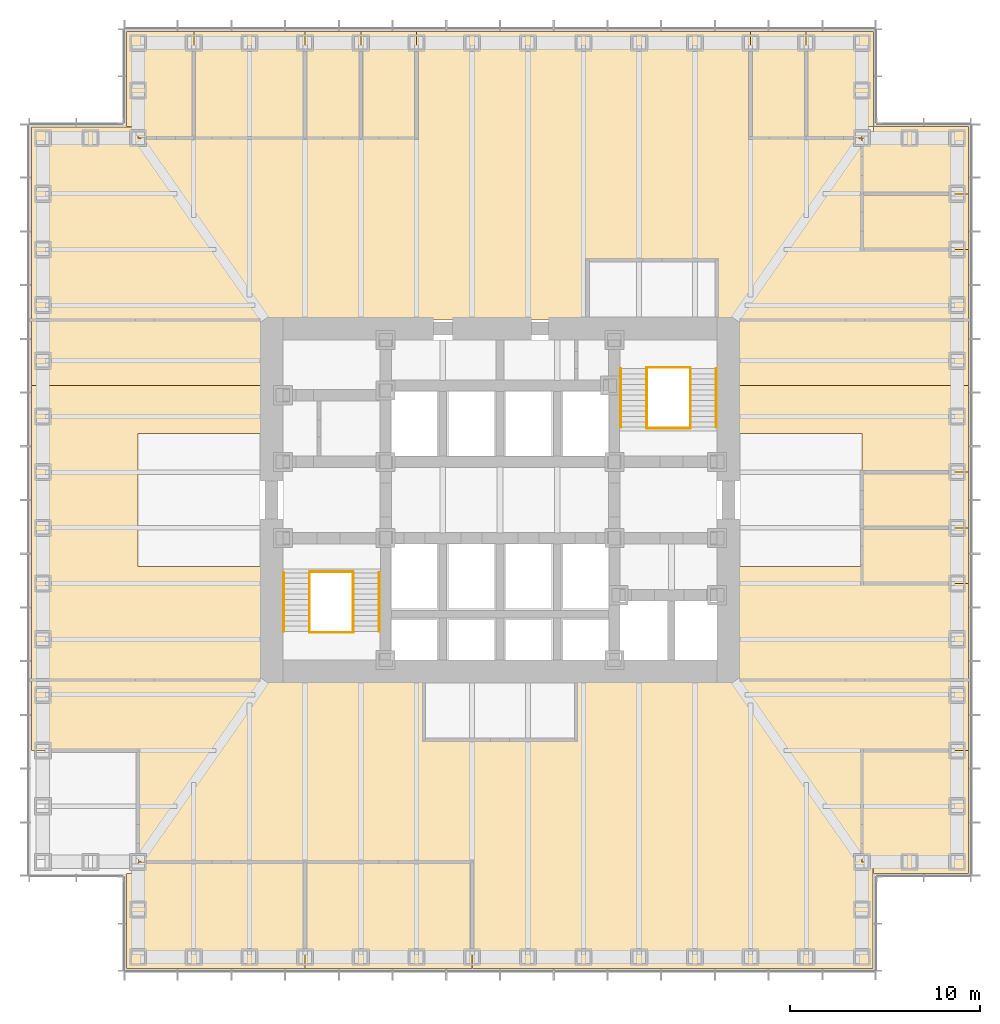
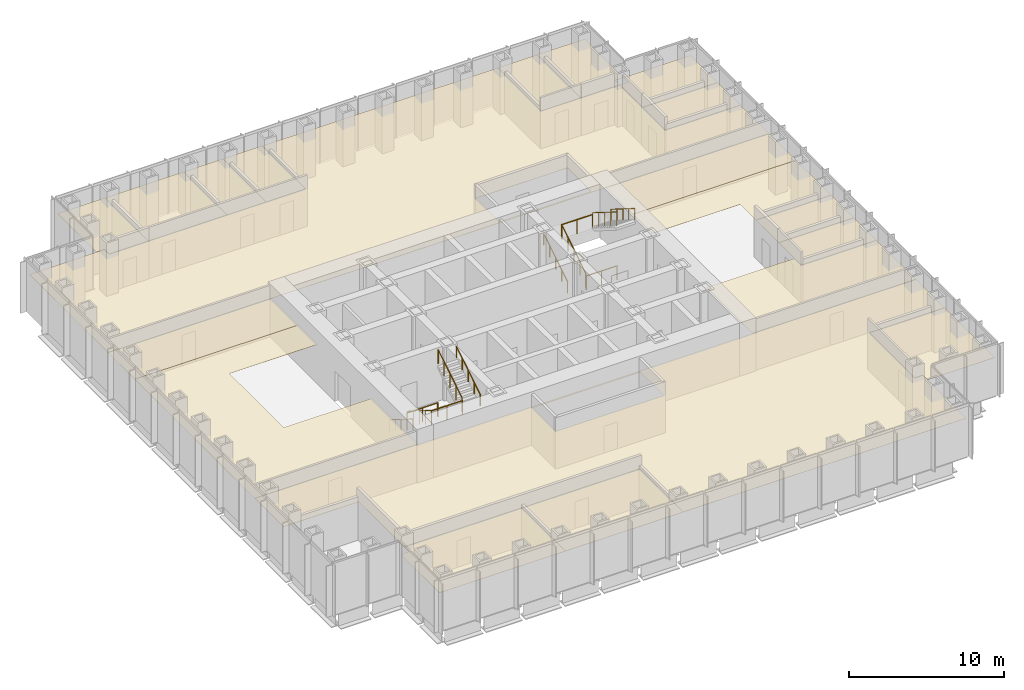
# One storey, part 17 of 17: 20 coverings, 12 railings.
"""IFC4 building model written with IfcOpenShell, lengths in metres."""

from ifc_helpers import new_model, si_unit, direction, frame, origin, origin_2d, place, context, subcontext, project, spatial, polyline, circle, outline, extrude, material, layer, layer_set, type_object, element, save


model = new_model("IFC4")

# Units and contexts
model_context = context("Model", 3, precision=1e-05, world=origin(), true_north=direction((0.0, 1.0)))
body_context = subcontext(model_context, "Body", "Model", "MODEL_VIEW")
ifc_project = project(units=[si_unit("LENGTHUNIT", "METRE"), si_unit("AREAUNIT", "SQUARE_METRE"), si_unit("VOLUMEUNIT", "CUBIC_METRE"), si_unit("PLANEANGLEUNIT", "RADIAN"), si_unit("MASSUNIT", "GRAM", prefix="KILO")], contexts=[model_context])

# Site, building, storey
site_placement = place(None, origin())
site = spatial("IfcSite", under=ifc_project, at=site_placement, CompositionType="ELEMENT")
building_placement = place(site_placement, origin())
building = spatial("IfcBuilding", under=site, at=building_placement, Name="Daluyong Arena Tower", CompositionType="ELEMENT")
storey_placement = place(building_placement, frame((0.0, 0.0, 60.10009765625)))
storey = spatial("IfcBuildingStorey", under=building, at=storey_placement, Name="L12", CompositionType="ELEMENT", Elevation=60.10009765625)

# Coverings
ifc_material_1 = material(Name="Mineral fibre ceiling tile", Category="gypsum board")
ifc_layer = layer(ifc_material_1, 0.02001953125)
ifc_layer_set = layer_set([ifc_layer], Name="Mineral fibre ceiling tile")
covering_type = type_object("IfcCoveringType", Name="Office ceiling", PredefinedType="CEILING", material=ifc_layer_set)
covering_1_placement = place(storey_placement, frame((0.0, 0.0, 2.89990234375)))
element("IfcCovering", 1, at=covering_1_placement, inside=storey, type_object=covering_type, Name="ceiling L12-01", PredefinedType="CEILING", context=body_context, shape_type="SweptSolid", body=[
    extrude(outline(polyline([(36.39990234375, 60.39990234375), (36.39990234375, 55.39990234375), (45.769287109375, 55.39990234375), (45.769287109375, 61.0), (37.0, 61.0), (37.0, 60.39990234375), (36.39990234375, 60.39990234375)])), origin(), (0.0, 0.0, 1.0), 0.02001953125),
])
covering_2_placement = place(storey_placement, frame((0.0, 0.0, 2.89990234375)))
element("IfcCovering", 2, at=covering_2_placement, inside=storey, type_object=covering_type, Name="ceiling L12-02", PredefinedType="CEILING", context=body_context, shape_type="SweptSolid", body=[
    extrude(outline(polyline([(45.769287109375, 61.0), (45.769287109375, 55.39990234375), (54.53857421875, 55.39990234375), (54.53857421875, 61.0), (45.769287109375, 61.0)])), origin(), (0.0, 0.0, 1.0), 0.02001953125),
])
covering_3_placement = place(storey_placement, frame((0.0, 0.0, 2.89990234375)))
element("IfcCovering", 3, at=covering_3_placement, inside=storey, type_object=covering_type, Name="ceiling L12-03", PredefinedType="CEILING", context=body_context, shape_type="SweptSolid", body=[
    extrude(outline(polyline([(75.60009765625, 60.39990234375), (80.60009765625, 60.39990234375), (80.60009765625, 66.84619140625), (75.0, 66.84619140625), (75.0, 61.0), (75.60009765625, 61.0), (75.60009765625, 60.39990234375)])), origin(), (0.0, 0.0, 1.0), 0.02001953125),
])
covering_4_placement = place(storey_placement, frame((0.0, 0.0, 2.89990234375)))
element("IfcCovering", 4, at=covering_4_placement, inside=storey, type_object=covering_type, Name="ceiling L12-04", PredefinedType="CEILING", context=body_context, shape_type="SweptSolid", body=[
    extrude(outline(polyline([(75.0, 75.615478515625), (80.60009765625, 75.615478515625), (80.60009765625, 78.53857421875), (75.0, 78.53857421875), (75.0, 75.615478515625)])), origin(), (0.0, 0.0, 1.0), 0.02001953125),
])
covering_5_placement = place(storey_placement, frame((0.0, 0.0, 2.89990234375)))
element("IfcCovering", 5, at=covering_5_placement, inside=storey, type_object=covering_type, Name="ceiling L12-05", PredefinedType="CEILING", context=body_context, shape_type="SweptSolid", body=[
    extrude(outline(polyline([(75.0, 78.53857421875), (80.60009765625, 78.53857421875), (80.60009765625, 81.46142578125), (75.0, 81.46142578125), (75.0, 78.53857421875)])), origin(), (0.0, 0.0, 1.0), 0.02001953125),
])
covering_6_placement = place(storey_placement, frame((0.0, 0.0, 2.89990234375)))
element("IfcCovering", 6, at=covering_6_placement, inside=storey, type_object=covering_type, Name="ceiling L12-06", PredefinedType="CEILING", context=body_context, shape_type="SweptSolid", body=[
    extrude(outline(polyline([(75.0, 93.15380859375), (80.60009765625, 93.15380859375), (80.60009765625, 96.076904296875), (75.0, 96.076904296875), (75.0, 93.15380859375)])), origin(), (0.0, 0.0, 1.0), 0.02001953125),
])
covering_7_placement = place(storey_placement, frame((0.0, 0.0, 2.89990234375)))
element("IfcCovering", 7, at=covering_7_placement, inside=storey, type_object=covering_type, Name="ceiling L12-07", PredefinedType="CEILING", context=body_context, shape_type="SweptSolid", body=[
    extrude(outline(polyline([(75.0, 96.076904296875), (80.60009765625, 96.076904296875), (80.60009765625, 99.60009765625), (75.60009765625, 99.60009765625), (75.60009765625, 99.0), (75.0, 99.0), (75.0, 96.076904296875)])), origin(), (0.0, 0.0, 1.0), 0.02001953125),
])
covering_8_placement = place(storey_placement, frame((0.0, 0.0, 2.89990234375)))
element("IfcCovering", 8, at=covering_8_placement, inside=storey, type_object=covering_type, Name="ceiling L12-08", PredefinedType="CEILING", context=body_context, shape_type="SweptSolid", body=[
    extrude(outline(polyline([(39.923095703125, 99.0), (39.923095703125, 104.60009765625), (36.39990234375, 104.60009765625), (36.39990234375, 99.60009765625), (37.0, 99.60009765625), (37.0, 99.0), (39.923095703125, 99.0)])), origin(), (0.0, 0.0, 1.0), 0.02001953125),
])
covering_9_placement = place(storey_placement, frame((0.0, 0.0, 2.89990234375)))
element("IfcCovering", 9, at=covering_9_placement, inside=storey, type_object=covering_type, Name="ceiling L12-09", PredefinedType="CEILING", context=body_context, shape_type="SweptSolid", body=[
    extrude(outline(polyline([(45.769287109375, 99.0), (45.769287109375, 104.60009765625), (39.923095703125, 104.60009765625), (39.923095703125, 99.0), (45.769287109375, 99.0)])), origin(), (0.0, 0.0, 1.0), 0.02001953125),
])
covering_10_placement = place(storey_placement, frame((0.0, 0.0, 2.89990234375)))
element("IfcCovering", 10, at=covering_10_placement, inside=storey, type_object=covering_type, Name="ceiling L12-10", PredefinedType="CEILING", context=body_context, shape_type="SweptSolid", body=[
    extrude(outline(polyline([(48.6923828125, 99.0), (48.6923828125, 104.60009765625), (45.769287109375, 104.60009765625), (45.769287109375, 99.0), (48.6923828125, 99.0)])), origin(), (0.0, 0.0, 1.0), 0.02001953125),
])
covering_11_placement = place(storey_placement, frame((0.0, 0.0, 2.89990234375)))
element("IfcCovering", 11, at=covering_11_placement, inside=storey, type_object=covering_type, Name="ceiling L12-11", PredefinedType="CEILING", context=body_context, shape_type="SweptSolid", body=[
    extrude(outline(polyline([(51.615478515625, 99.0), (51.615478515625, 104.60009765625), (48.6923828125, 104.60009765625), (48.6923828125, 99.0), (51.615478515625, 99.0)])), origin(), (0.0, 0.0, 1.0), 0.02001953125),
])
covering_12_placement = place(storey_placement, frame((0.0, 0.0, 2.89990234375)))
element("IfcCovering", 12, at=covering_12_placement, inside=storey, type_object=covering_type, Name="ceiling L12-12", PredefinedType="CEILING", context=body_context, shape_type="SweptSolid", body=[
    extrude(outline(polyline([(72.076904296875, 99.0), (72.076904296875, 104.60009765625), (69.15380859375, 104.60009765625), (69.15380859375, 99.0), (72.076904296875, 99.0)])), origin(), (0.0, 0.0, 1.0), 0.02001953125),
])
covering_13_placement = place(storey_placement, frame((0.0, 0.0, 2.89990234375)))
element("IfcCovering", 13, at=covering_13_placement, inside=storey, type_object=covering_type, Name="ceiling L12-13", PredefinedType="CEILING", context=body_context, shape_type="SweptSolid", body=[
    extrude(outline(polyline([(72.076904296875, 99.0), (75.0, 99.0), (75.0, 99.60009765625), (75.60009765625, 99.60009765625), (75.60009765625, 104.60009765625), (72.076904296875, 104.60009765625), (72.076904296875, 99.0)])), origin(), (0.0, 0.0, 1.0), 0.02001953125),
])
covering_14_placement = place(storey_placement, frame((0.0, 0.0, 2.89990234375)))
element("IfcCovering", 14, at=covering_14_placement, inside=storey, type_object=covering_type, Name="ceiling L12-19", PredefinedType="CEILING", context=body_context, shape_type="SweptSolid", body=[
    extrude(outline(polyline([(37.010009765625, 61.010009765625), (54.548583984375, 61.010009765625), (54.548583984375, 55.409912109375), (75.590087890625, 55.409912109375), (75.590087890625, 60.989990234375), (74.989990234375, 60.989990234375), (74.989990234375, 66.856201171875), (80.590087890625, 66.856201171875), (80.590087890625, 70.5400390625), (31.409912109375, 70.5400390625), (31.409912109375, 66.856201171875), (37.010009765625, 66.856201171875), (37.010009765625, 61.010009765625)]), holes=[polyline([(60.010009765625, 67.389892578125), (51.989990234375, 67.389892578125), (51.989990234375, 70.409912109375), (60.010009765625, 70.409912109375), (60.010009765625, 67.389892578125)])]), origin(), (0.0, 0.0, 1.0), 0.02001953125),
])
covering_15_placement = place(storey_placement, frame((0.0, 0.0, 2.89990234375)))
element("IfcCovering", 15, at=covering_15_placement, inside=storey, type_object=covering_type, Name="ceiling L12-20", PredefinedType="CEILING", context=body_context, shape_type="SweptSolid", body=[
    extrude(outline(polyline([(51.62548828125, 98.989990234375), (36.989990234375, 98.989990234375), (36.989990234375, 99.590087890625), (31.409912109375, 99.590087890625), (31.409912109375, 89.4599609375), (80.590087890625, 89.4599609375), (80.590087890625, 93.143798828125), (74.989990234375, 93.143798828125), (74.989990234375, 98.989990234375), (69.143798828125, 98.989990234375), (69.143798828125, 104.590087890625), (51.62548828125, 104.590087890625), (51.62548828125, 98.989990234375)]), holes=[polyline([(67.409912109375, 89.590087890625), (60.590087890625, 89.590087890625), (60.590087890625, 92.610107421875), (67.409912109375, 92.610107421875), (67.409912109375, 89.590087890625)])]), origin(), (0.0, 0.0, 1.0), 0.02001953125),
])
covering_16_placement = place(storey_placement, frame((0.0, 0.0, 2.89990234375)))
element("IfcCovering", 16, at=covering_16_placement, inside=storey, type_object=covering_type, Name="ceiling L12-21", PredefinedType="CEILING", context=body_context, shape_type="SweptSolid", body=[
    extrude(outline(polyline([(43.550048828125, 83.5), (43.550048828125, 86.0), (31.39990234375, 86.0), (31.39990234375, 70.550048828125), (43.550048828125, 70.550048828125), (43.550048828125, 76.5), (37.0, 76.5), (37.0, 83.5), (43.550048828125, 83.5)])), origin(), (0.0, 0.0, 1.0), 0.02001953125),
])
covering_17_placement = place(storey_placement, frame((0.0, 0.0, 2.89990234375)))
element("IfcCovering", 17, at=covering_17_placement, inside=storey, type_object=covering_type, Name="ceiling L12-22", PredefinedType="CEILING", context=body_context, shape_type="SweptSolid", body=[
    extrude(outline(polyline([(43.550048828125, 86.0), (43.550048828125, 89.449951171875), (31.39990234375, 89.449951171875), (31.39990234375, 86.0), (43.550048828125, 86.0)])), origin(), (0.0, 0.0, 1.0), 0.02001953125),
])
covering_18_placement = place(storey_placement, frame((0.0, 0.0, 2.89990234375)))
element("IfcCovering", 18, at=covering_18_placement, inside=storey, type_object=covering_type, Name="ceiling L12-23", PredefinedType="CEILING", context=body_context, shape_type="SweptSolid", body=[
    extrude(outline(polyline([(80.60009765625, 81.46142578125), (80.60009765625, 86.0), (68.449951171875, 86.0), (68.449951171875, 83.5), (75.0, 83.5), (75.0, 81.46142578125), (80.60009765625, 81.46142578125)])), origin(), (0.0, 0.0, 1.0), 0.02001953125),
])
covering_19_placement = place(storey_placement, frame((0.0, 0.0, 2.89990234375)))
element("IfcCovering", 19, at=covering_19_placement, inside=storey, type_object=covering_type, Name="ceiling L12-24", PredefinedType="CEILING", context=body_context, shape_type="SweptSolid", body=[
    extrude(outline(polyline([(68.449951171875, 76.5), (68.449951171875, 70.550048828125), (80.60009765625, 70.550048828125), (80.60009765625, 75.615478515625), (75.0, 75.615478515625), (75.0, 76.5), (68.449951171875, 76.5)])), origin(), (0.0, 0.0, 1.0), 0.02001953125),
])
covering_20_placement = place(storey_placement, frame((0.0, 0.0, 2.89990234375)))
element("IfcCovering", 20, at=covering_20_placement, inside=storey, type_object=covering_type, Name="ceiling L12-25", PredefinedType="CEILING", context=body_context, shape_type="SweptSolid", body=[
    extrude(outline(polyline([(80.60009765625, 86.0), (80.60009765625, 89.449951171875), (68.449951171875, 89.449951171875), (68.449951171875, 86.0), (80.60009765625, 86.0)])), origin(), (0.0, 0.0, 1.0), 0.02001953125),
])

# Railings
ifc_material_2 = material(Name="Stainless steel handrail", Category="steel")
railing_type_1 = type_object("IfcRailingType", Name="Stair handrail", PredefinedType="HANDRAIL", material=ifc_material_2)
railing_1_placement = place(storey_placement, frame((44.64990234375, 76.175048828125, 0.1748046875)))
element("IfcRailing", 21, at=railing_1_placement, inside=storey, type_object=railing_type_1, Name="exit stair A handrail L12", PredefinedType="HANDRAIL", context=body_context, shape_type="SweptSolid", body=[
    extrude(circle(Radius=0.02392578125, at=origin_2d()), frame((0.0, 0.0, 0.8759765625), z_axis=(0.0, -0.847998304005, 0.529998940003), x_axis=(1.0, 0.0, 0.0)), (0.0, 0.0, 1.0), 3.632080078125),
    extrude(circle(Radius=0.02099609375, at=origin_2d()), origin(), (0.0, 0.0, 1.0), 0.851806640625),
    extrude(circle(Radius=0.02099609375, at=origin_2d()), frame((0.0, -0.77001953125, 0.481201171875)), (0.0, 0.0, 1.0), 0.851806640625),
    extrude(circle(Radius=0.02099609375, at=origin_2d()), frame((0.0, -1.5400390625, 0.96240234375)), (0.0, 0.0, 1.0), 0.851806640625),
    extrude(circle(Radius=0.02099609375, at=origin_2d()), frame((0.0, -2.31005859375, 1.44384765625)), (0.0, 0.0, 1.0), 0.851806640625),
    extrude(circle(Radius=0.02099609375, at=origin_2d()), frame((0.0, -3.080078125, 1.925048828125)), (0.0, 0.0, 1.0), 0.851806640625),
])
for number, where, name in (
    (22, (49.64990234375, 73.094970703125, 2.27490234375), "exit stair A handrail L12"),
    (23, (62.35009765625, 83.824951171875, 0.1748046875), "exit stair B handrail L12"),
):
    element("IfcRailing", number, at=place(storey_placement, frame(where)), inside=storey, type_object=railing_type_1, Name=name, PredefinedType="HANDRAIL", context=body_context, shape_type="SweptSolid", body=[
        extrude(circle(Radius=0.02392578125, at=origin_2d()), frame((0.0, 0.0, 0.8759765625), z_axis=(0.0, 0.847998304005, 0.529998940003), x_axis=(-1.0, 0.0, 0.0)), (0.0, 0.0, 1.0), 3.632080078125),
        extrude(circle(Radius=0.02099609375, at=origin_2d()), origin(), (0.0, 0.0, 1.0), 0.851806640625),
        extrude(circle(Radius=0.02099609375, at=origin_2d()), frame((0.0, 0.77001953125, 0.481201171875)), (0.0, 0.0, 1.0), 0.851806640625),
        extrude(circle(Radius=0.02099609375, at=origin_2d()), frame((0.0, 1.5400390625, 0.96240234375)), (0.0, 0.0, 1.0), 0.851806640625),
        extrude(circle(Radius=0.02099609375, at=origin_2d()), frame((0.0, 2.31005859375, 1.44384765625)), (0.0, 0.0, 1.0), 0.851806640625),
        extrude(circle(Radius=0.02099609375, at=origin_2d()), frame((0.0, 3.080078125, 1.925048828125)), (0.0, 0.0, 1.0), 0.851806640625),
    ])
railing_2_placement = place(storey_placement, frame((67.35009765625, 86.905029296875, 2.27490234375)))
element("IfcRailing", 24, at=railing_2_placement, inside=storey, type_object=railing_type_1, Name="exit stair B handrail L12", PredefinedType="HANDRAIL", context=body_context, shape_type="SweptSolid", body=[
    extrude(circle(Radius=0.02392578125, at=origin_2d()), frame((0.0, 0.0, 0.8759765625), z_axis=(0.0, -0.847998304005, 0.529998940003), x_axis=(1.0, 0.0, 0.0)), (0.0, 0.0, 1.0), 3.632080078125),
    extrude(circle(Radius=0.02099609375, at=origin_2d()), origin(), (0.0, 0.0, 1.0), 0.851806640625),
    extrude(circle(Radius=0.02099609375, at=origin_2d()), frame((0.0, -0.77001953125, 0.481201171875)), (0.0, 0.0, 1.0), 0.851806640625),
    extrude(circle(Radius=0.02099609375, at=origin_2d()), frame((0.0, -1.5400390625, 0.96240234375)), (0.0, 0.0, 1.0), 0.851806640625),
    extrude(circle(Radius=0.02099609375, at=origin_2d()), frame((0.0, -2.31005859375, 1.44384765625)), (0.0, 0.0, 1.0), 0.851806640625),
    extrude(circle(Radius=0.02099609375, at=origin_2d()), frame((0.0, -3.080078125, 1.925048828125)), (0.0, 0.0, 1.0), 0.851806640625),
])
ifc_material_3 = material(Name="Steel balustrade", Category="steel")
railing_type_2 = type_object("IfcRailingType", Name="Stair well guard 1100", PredefinedType="GUARDRAIL", material=ifc_material_3)
railing_3_placement = place(storey_placement, frame((46.0, 76.175048828125, 0.1748046875)))
element("IfcRailing", 25, at=railing_3_placement, inside=storey, type_object=railing_type_2, Name="exit stair A well guard L12", PredefinedType="GUARDRAIL", context=body_context, shape_type="SweptSolid", body=[
    extrude(circle(Radius=0.02392578125, at=origin_2d()), frame((0.0, 0.0, 1.076171875), z_axis=(0.0, -0.847998304005, 0.529998940003), x_axis=(1.0, 0.0, 0.0)), (0.0, 0.0, 1.0), 3.632080078125),
    extrude(circle(Radius=0.02099609375, at=origin_2d()), origin(), (0.0, 0.0, 1.0), 1.052001953125),
    extrude(circle(Radius=0.02099609375, at=origin_2d()), frame((0.0, -0.77001953125, 0.481201171875)), (0.0, 0.0, 1.0), 1.052001953125),
    extrude(circle(Radius=0.02099609375, at=origin_2d()), frame((0.0, -1.5400390625, 0.96240234375)), (0.0, 0.0, 1.0), 1.052001953125),
    extrude(circle(Radius=0.02099609375, at=origin_2d()), frame((0.0, -2.31005859375, 1.44384765625)), (0.0, 0.0, 1.0), 1.052001953125),
    extrude(circle(Radius=0.02099609375, at=origin_2d()), frame((0.0, -3.080078125, 1.925048828125)), (0.0, 0.0, 1.0), 1.052001953125),
])
railing_4_placement = place(storey_placement, frame((48.300048828125, 73.094970703125, 2.27490234375)))
element("IfcRailing", 26, at=railing_4_placement, inside=storey, type_object=railing_type_2, Name="exit stair A well guard L12", PredefinedType="GUARDRAIL", context=body_context, shape_type="SweptSolid", body=[
    extrude(circle(Radius=0.02392578125, at=origin_2d()), frame((0.0, 0.0, 1.076171875), z_axis=(0.0, 0.847998304005, 0.529998940003), x_axis=(-1.0, 0.0, 0.0)), (0.0, 0.0, 1.0), 3.632080078125),
    extrude(circle(Radius=0.02099609375, at=origin_2d()), origin(), (0.0, 0.0, 1.0), 1.052001953125),
    extrude(circle(Radius=0.02099609375, at=origin_2d()), frame((0.0, 0.77001953125, 0.481201171875)), (0.0, 0.0, 1.0), 1.052001953125),
    extrude(circle(Radius=0.02099609375, at=origin_2d()), frame((0.0, 1.5400390625, 0.96240234375)), (0.0, 0.0, 1.0), 1.052001953125),
    extrude(circle(Radius=0.02099609375, at=origin_2d()), frame((0.0, 2.31005859375, 1.44384765625)), (0.0, 0.0, 1.0), 1.052001953125),
    extrude(circle(Radius=0.02099609375, at=origin_2d()), frame((0.0, 3.080078125, 1.925048828125)), (0.0, 0.0, 1.0), 1.052001953125),
])
for number, where, name in (
    (27, (46.0, 73.044921875, 2.099853515625), "exit stair A landing guard L12"),
    (28, (46.0, 76.22509765625, 0.0), "exit stair A floor landing guard L12"),
):
    element("IfcRailing", number, at=place(storey_placement, frame(where)), inside=storey, type_object=railing_type_2, Name=name, PredefinedType="GUARDRAIL", context=body_context, shape_type="SweptSolid", body=[
        extrude(circle(Radius=0.02392578125, at=origin_2d()), frame((0.0, 0.0, 1.076171875), z_axis=(1.0, 0.0, 0.0), x_axis=(0.0, 1.0, 0.0)), (0.0, 0.0, 1.0), 2.300048828125),
        extrude(circle(Radius=0.02099609375, at=origin_2d()), origin(), (0.0, 0.0, 1.0), 1.052001953125),
        extrude(circle(Radius=0.02099609375, at=origin_2d()), frame((1.14990234375, 0.0, 0.0)), (0.0, 0.0, 1.0), 1.052001953125),
        extrude(circle(Radius=0.02099609375, at=origin_2d()), frame((2.300048828125, 0.0, 0.0)), (0.0, 0.0, 1.0), 1.052001953125),
    ])
railing_5_placement = place(storey_placement, frame((63.699951171875, 83.824951171875, 0.1748046875)))
element("IfcRailing", 29, at=railing_5_placement, inside=storey, type_object=railing_type_2, Name="exit stair B well guard L12", PredefinedType="GUARDRAIL", context=body_context, shape_type="SweptSolid", body=[
    extrude(circle(Radius=0.02392578125, at=origin_2d()), frame((0.0, 0.0, 1.076171875), z_axis=(0.0, 0.847998304005, 0.529998940003), x_axis=(-1.0, 0.0, 0.0)), (0.0, 0.0, 1.0), 3.632080078125),
    extrude(circle(Radius=0.02099609375, at=origin_2d()), origin(), (0.0, 0.0, 1.0), 1.052001953125),
    extrude(circle(Radius=0.02099609375, at=origin_2d()), frame((0.0, 0.77001953125, 0.481201171875)), (0.0, 0.0, 1.0), 1.052001953125),
    extrude(circle(Radius=0.02099609375, at=origin_2d()), frame((0.0, 1.5400390625, 0.96240234375)), (0.0, 0.0, 1.0), 1.052001953125),
    extrude(circle(Radius=0.02099609375, at=origin_2d()), frame((0.0, 2.31005859375, 1.44384765625)), (0.0, 0.0, 1.0), 1.052001953125),
    extrude(circle(Radius=0.02099609375, at=origin_2d()), frame((0.0, 3.080078125, 1.925048828125)), (0.0, 0.0, 1.0), 1.052001953125),
])
railing_6_placement = place(storey_placement, frame((66.0, 86.905029296875, 2.27490234375)))
element("IfcRailing", 30, at=railing_6_placement, inside=storey, type_object=railing_type_2, Name="exit stair B well guard L12", PredefinedType="GUARDRAIL", context=body_context, shape_type="SweptSolid", body=[
    extrude(circle(Radius=0.02392578125, at=origin_2d()), frame((0.0, 0.0, 1.076171875), z_axis=(0.0, -0.847998304005, 0.529998940003), x_axis=(1.0, 0.0, 0.0)), (0.0, 0.0, 1.0), 3.632080078125),
    extrude(circle(Radius=0.02099609375, at=origin_2d()), origin(), (0.0, 0.0, 1.0), 1.052001953125),
    extrude(circle(Radius=0.02099609375, at=origin_2d()), frame((0.0, -0.77001953125, 0.481201171875)), (0.0, 0.0, 1.0), 1.052001953125),
    extrude(circle(Radius=0.02099609375, at=origin_2d()), frame((0.0, -1.5400390625, 0.96240234375)), (0.0, 0.0, 1.0), 1.052001953125),
    extrude(circle(Radius=0.02099609375, at=origin_2d()), frame((0.0, -2.31005859375, 1.44384765625)), (0.0, 0.0, 1.0), 1.052001953125),
    extrude(circle(Radius=0.02099609375, at=origin_2d()), frame((0.0, -3.080078125, 1.925048828125)), (0.0, 0.0, 1.0), 1.052001953125),
])
for number, where, name in (
    (31, (63.699951171875, 86.955078125, 2.099853515625), "exit stair B landing guard L12"),
    (32, (63.699951171875, 83.77490234375, 0.0), "exit stair B floor landing guard L12"),
):
    element("IfcRailing", number, at=place(storey_placement, frame(where)), inside=storey, type_object=railing_type_2, Name=name, PredefinedType="GUARDRAIL", context=body_context, shape_type="SweptSolid", body=[
        extrude(circle(Radius=0.02392578125, at=origin_2d()), frame((0.0, 0.0, 1.076171875), z_axis=(1.0, 0.0, 0.0), x_axis=(0.0, 1.0, 0.0)), (0.0, 0.0, 1.0), 2.300048828125),
        extrude(circle(Radius=0.02099609375, at=origin_2d()), origin(), (0.0, 0.0, 1.0), 1.052001953125),
        extrude(circle(Radius=0.02099609375, at=origin_2d()), frame((1.14990234375, 0.0, 0.0)), (0.0, 0.0, 1.0), 1.052001953125),
        extrude(circle(Radius=0.02099609375, at=origin_2d()), frame((2.300048828125, 0.0, 0.0)), (0.0, 0.0, 1.0), 1.052001953125),
    ])

save(model, "model.ifc")
